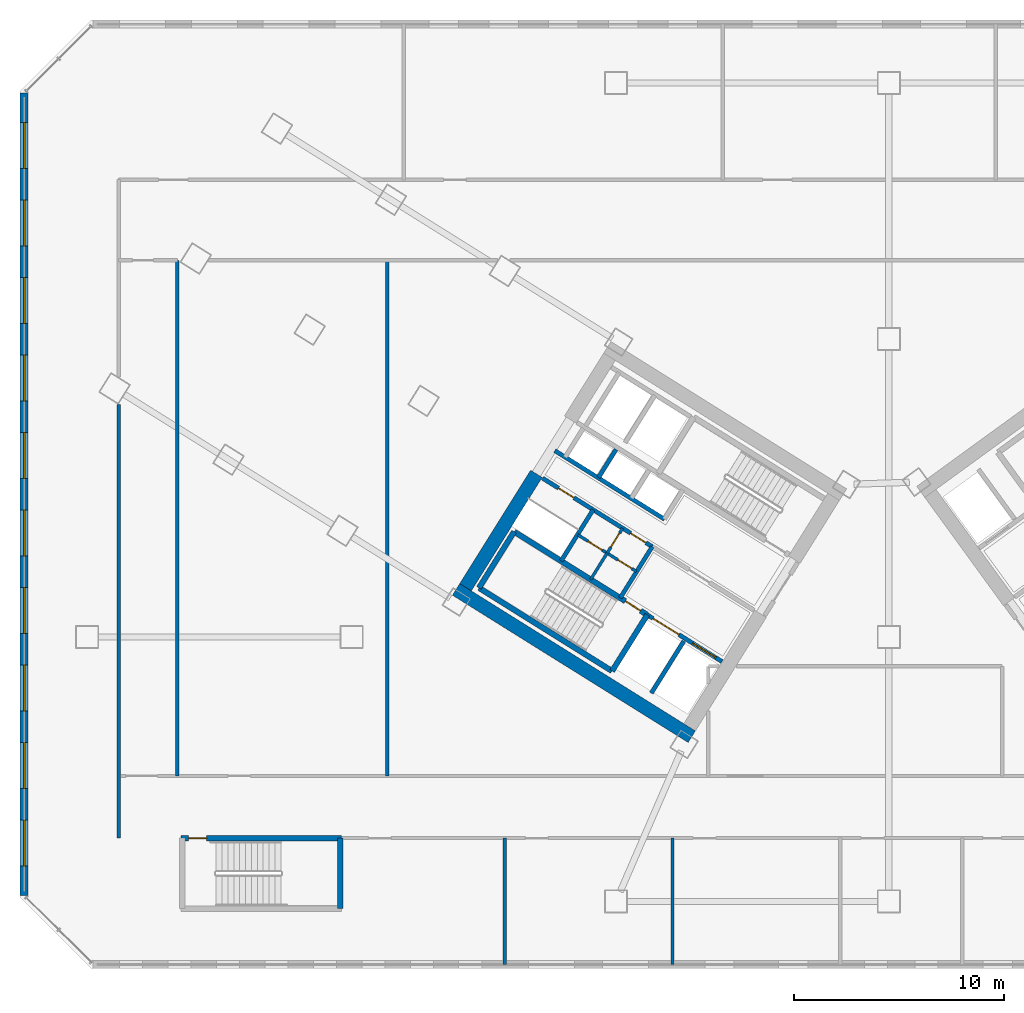
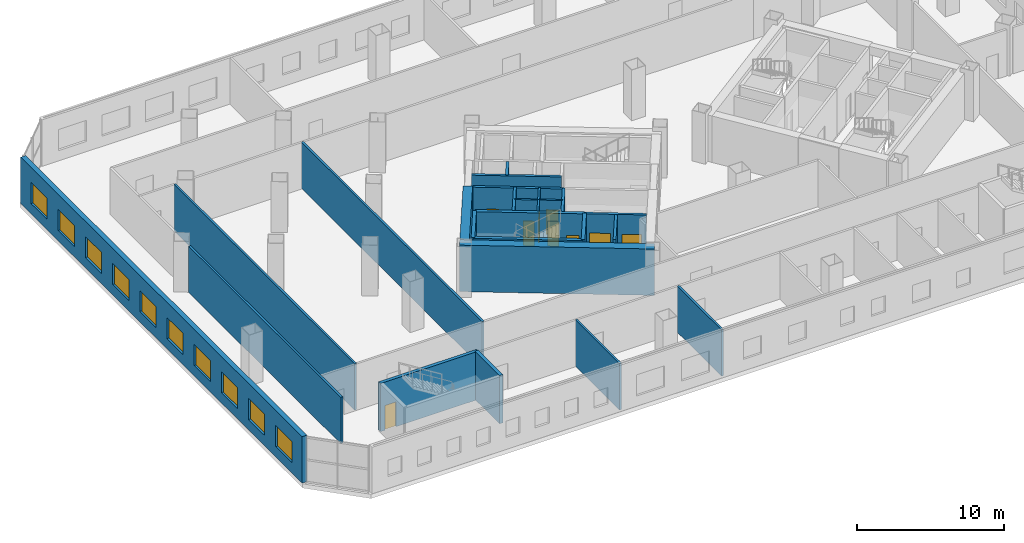
# One storey, part 10 of 22: 24 walls, 10 windows, 9 doors, 19 openings.
"""IFC4 building model written with IfcOpenShell, lengths in metres."""

from ifc_helpers import new_model, si_unit, direction, frame, frame_2d, origin, place, context, subcontext, project, spatial, rectangle, extrude, source, transform, mapped, material, layer, layer_set, type_object, element, fill, save


model = new_model("IFC4")

# Units and contexts
model_context = context("Model", 3, precision=1e-05, world=origin(), true_north=direction((0.0, 1.0)))
body_context = subcontext(model_context, "Body", "Model", "MODEL_VIEW")
ifc_project = project(units=[si_unit("LENGTHUNIT", "METRE"), si_unit("AREAUNIT", "SQUARE_METRE"), si_unit("VOLUMEUNIT", "CUBIC_METRE"), si_unit("PLANEANGLEUNIT", "RADIAN"), si_unit("MASSUNIT", "GRAM", prefix="KILO")], contexts=[model_context])

# Site, building, storey
site_placement = place(None, origin())
site = spatial("IfcSite", under=ifc_project, at=site_placement, CompositionType="ELEMENT")
building_placement = place(site_placement, origin())
building = spatial("IfcBuilding", under=site, at=building_placement, Name="Tlacorven Tower", CompositionType="ELEMENT")
storey_placement = place(building_placement, frame((0.0, 0.0, 10.199951171875)))
storey = spatial("IfcBuildingStorey", under=building, at=storey_placement, Name="L02", CompositionType="ELEMENT", Elevation=10.199951171875)

# Walls
ifc_material_1 = material(Name="Concrete C60/75", Category="concrete")
ifc_layer_1 = layer(ifc_material_1, 0.64990234375)
ifc_layer_set_1 = layer_set([ifc_layer_1], Name="Concrete C60/75")
wall_type_1 = type_object("IfcWallType", Name="WL-COR-650", PredefinedType="SHEAR", material=ifc_layer_set_1)
wall_1_placement = place(storey_placement, frame((33.40869140625, 12.449951171875, 0.0), z_axis=(0.0, 0.0, 1.0), x_axis=(-0.848051132073, 0.529914405721, 0.0)))
element("IfcWall", 1, at=wall_1_placement, inside=storey, type_object=wall_type_1, Name="L02 W core shear wall S2", PredefinedType="SHEAR", context=body_context, shape_type="SweptSolid", body=[
    extrude(rectangle(XDim=13.239990234375, YDim=0.64990234375, at=frame_2d((6.6201171875, 0.0))), origin(), (0.0, 0.0, 1.0), 3.85009765625),
])
wall_2_placement = place(storey_placement, frame((26.006591796875, 24.975830078125, 0.0), z_axis=(0.0, 0.0, 1.0), x_axis=(-0.529916319127, -0.848049936456, 0.0)))
element("IfcWall", 2, at=wall_2_placement, inside=storey, type_object=wall_type_1, Name="L02 W core end wall E2.2", PredefinedType="SHEAR", context=body_context, shape_type="SweptSolid", body=[
    extrude(rectangle(XDim=6.375, YDim=0.64990234375, at=frame_2d((3.1875, 0.0))), origin(), (0.0, 0.0, 1.0), 3.85009765625),
])
ifc_material_2 = material(Name="Gypsum plasterboard acoustic partition", Category="gypsum")
ifc_layer_2 = layer(ifc_material_2, 0.159912109375)
ifc_layer_set_2 = layer_set([ifc_layer_2], Name="Gypsum plasterboard acoustic partition")
wall_type_2 = type_object("IfcWallType", Name="WL-DEM-160", PredefinedType="PARTITIONING", material=ifc_layer_set_2)
for number, where, z_axis, x_axis, name in (
    (3, (24.489990234375, 1.60009765625, 0.0), (0.0, 0.0, 1.0), (0.0, 1.0, 0.0), "L02 partition 69"),
    (4, (32.489990234375, 1.60009765625, 0.0), (0.0, 0.0, 1.0), (0.0, 1.0, 0.0), "L02 partition 70"),
):
    element("IfcWall", number, at=place(storey_placement, frame(where, z_axis=z_axis, x_axis=x_axis)), inside=storey, type_object=wall_type_2, Name=name, PredefinedType="PARTITIONING", context=body_context, shape_type="SweptSolid", body=[
        extrude(rectangle(XDim=6.02001953125, YDim=0.159912109375, at=frame_2d((3.010009765625, 0.0))), origin(), (0.0, 0.0, 1.0), 3.840087890625),
    ])
wall_3_placement = place(storey_placement, frame((6.10009765625, 7.6201171875, 0.0), z_axis=(0.0, 0.0, 1.0), x_axis=(0.0, 1.0, 0.0)))
element("IfcWall", 5, at=wall_3_placement, inside=storey, type_object=wall_type_2, Name="L02 partition 75", PredefinedType="PARTITIONING", context=body_context, shape_type="SweptSolid", body=[
    extrude(rectangle(XDim=20.669921875, YDim=0.159912109375, at=frame_2d((10.3349609375, 0.0))), origin(), (0.0, 0.0, 1.0), 3.840087890625),
])
for number, where, z_axis, x_axis, name in (
    (6, (8.89990234375, 10.580078125, 0.0), (0.0, 0.0, 1.0), (0.0, 1.0, 0.0), "L02 partition 76"),
    (7, (18.89990234375, 10.580078125, 0.0), (0.0, 0.0, 1.0), (0.0, 1.0, 0.0), "L02 partition 84"),
):
    element("IfcWall", number, at=place(storey_placement, frame(where, z_axis=z_axis, x_axis=x_axis)), inside=storey, type_object=wall_type_2, Name=name, PredefinedType="PARTITIONING", context=body_context, shape_type="SweptSolid", body=[
        extrude(rectangle(XDim=24.56982421875, YDim=0.159912109375, at=frame_2d((12.284912109375, 0.0))), origin(), (0.0, 0.0, 1.0), 3.840087890625),
    ])

# Wall, openings, windows
ifc_material_3 = material(Name="Precast concrete C45/55", Category="concrete")
ifc_layer_3 = layer(ifc_material_3, 0.3798828125)
ifc_layer_set_3 = layer_set([ifc_layer_3], Name="Precast concrete C45/55")
wall_type_3 = type_object("IfcWallType", Name="WL-EXT-380", PredefinedType="STANDARD", material=ifc_layer_set_3)
wall_4_placement = place(storey_placement, frame((1.60009765625, 4.8828125, 0.0), z_axis=(0.0, 0.0, 1.0), x_axis=(0.0, 1.0, 0.0)))
wall_4 = element("IfcWall", 8, at=wall_4_placement, inside=storey, type_object=wall_type_3, Name="L02 Podium Masonry-Frame Facade Wall 2", PredefinedType="STANDARD", context=body_context, shape_type="SweptSolid", body=[
    extrude(rectangle(XDim=38.234375, YDim=0.3798828125, at=frame_2d((19.1171875, 0.0))), origin(), (0.0, 0.0, 1.0), 3.85009765625),
])
opening_1_placement = place(wall_4_placement, frame((1.396728515625, 0.0, 0.85009765625)))
opening_1 = element("IfcOpeningElement", 9, at=opening_1_placement, cuts=wall_4, Name="Opening WN14", PredefinedType="OPENING", context=body_context, shape_type="SweptSolid", body=[
    extrude(rectangle(XDim=2.199951171875, YDim=1.75, at=frame_2d((1.10009765625, 0.875))), frame((0.0, 0.199951171875, 0.0), z_axis=(0.0, -1.0, 0.0), x_axis=(1.0, 0.0, 0.0)), (0.0, 0.0, 1.0), 0.39990234375),
])
opening_2_placement = place(wall_4_placement, frame((5.090087890625, 0.0, 0.85009765625)))
opening_2 = element("IfcOpeningElement", 10, at=opening_2_placement, cuts=wall_4, Name="Opening WN14", PredefinedType="OPENING", context=body_context, shape_type="SweptSolid", body=[
    extrude(rectangle(XDim=2.199951171875, YDim=1.75, at=frame_2d((1.10009765625, 0.875))), frame((0.0, 0.199951171875, 0.0), z_axis=(0.0, -1.0, 0.0), x_axis=(1.0, 0.0, 0.0)), (0.0, 0.0, 1.0), 0.39990234375),
])
opening_3_placement = place(wall_4_placement, frame((8.78369140625, 0.0, 0.85009765625)))
opening_3 = element("IfcOpeningElement", 11, at=opening_3_placement, cuts=wall_4, Name="Opening WN14", PredefinedType="OPENING", context=body_context, shape_type="SweptSolid", body=[
    extrude(rectangle(XDim=2.199951171875, YDim=1.75, at=frame_2d((1.10009765625, 0.875))), frame((0.0, 0.199951171875, 0.0), z_axis=(0.0, -1.0, 0.0), x_axis=(1.0, 0.0, 0.0)), (0.0, 0.0, 1.0), 0.39990234375),
])
opening_4_placement = place(wall_4_placement, frame((12.47705078125, 0.0, 0.85009765625)))
opening_4 = element("IfcOpeningElement", 12, at=opening_4_placement, cuts=wall_4, Name="Opening WN14", PredefinedType="OPENING", context=body_context, shape_type="SweptSolid", body=[
    extrude(rectangle(XDim=2.199951171875, YDim=1.75, at=frame_2d((1.10009765625, 0.875))), frame((0.0, 0.199951171875, 0.0), z_axis=(0.0, -1.0, 0.0), x_axis=(1.0, 0.0, 0.0)), (0.0, 0.0, 1.0), 0.39990234375),
])
opening_5_placement = place(wall_4_placement, frame((16.17041015625, 0.0, 0.85009765625)))
opening_5 = element("IfcOpeningElement", 13, at=opening_5_placement, cuts=wall_4, Name="Opening WN14", PredefinedType="OPENING", context=body_context, shape_type="SweptSolid", body=[
    extrude(rectangle(XDim=2.199951171875, YDim=1.75, at=frame_2d((1.10009765625, 0.875))), frame((0.0, 0.199951171875, 0.0), z_axis=(0.0, -1.0, 0.0), x_axis=(1.0, 0.0, 0.0)), (0.0, 0.0, 1.0), 0.39990234375),
])
opening_6_placement = place(wall_4_placement, frame((19.864013671875, 0.0, 0.85009765625)))
opening_6 = element("IfcOpeningElement", 14, at=opening_6_placement, cuts=wall_4, Name="Opening WN14", PredefinedType="OPENING", context=body_context, shape_type="SweptSolid", body=[
    extrude(rectangle(XDim=2.199951171875, YDim=1.75, at=frame_2d((1.10009765625, 0.875))), frame((0.0, 0.199951171875, 0.0), z_axis=(0.0, -1.0, 0.0), x_axis=(1.0, 0.0, 0.0)), (0.0, 0.0, 1.0), 0.39990234375),
])
opening_7_placement = place(wall_4_placement, frame((23.557373046875, 0.0, 0.85009765625)))
opening_7 = element("IfcOpeningElement", 15, at=opening_7_placement, cuts=wall_4, Name="Opening WN14", PredefinedType="OPENING", context=body_context, shape_type="SweptSolid", body=[
    extrude(rectangle(XDim=2.199951171875, YDim=1.75, at=frame_2d((1.10009765625, 0.875))), frame((0.0, 0.199951171875, 0.0), z_axis=(0.0, -1.0, 0.0), x_axis=(1.0, 0.0, 0.0)), (0.0, 0.0, 1.0), 0.39990234375),
])
opening_8_placement = place(wall_4_placement, frame((27.250732421875, 0.0, 0.85009765625)))
opening_8 = element("IfcOpeningElement", 16, at=opening_8_placement, cuts=wall_4, Name="Opening WN14", PredefinedType="OPENING", context=body_context, shape_type="SweptSolid", body=[
    extrude(rectangle(XDim=2.199951171875, YDim=1.75, at=frame_2d((1.10009765625, 0.875))), frame((0.0, 0.199951171875, 0.0), z_axis=(0.0, -1.0, 0.0), x_axis=(1.0, 0.0, 0.0)), (0.0, 0.0, 1.0), 0.39990234375),
])
opening_9_placement = place(wall_4_placement, frame((30.944091796875, 0.0, 0.85009765625)))
opening_9 = element("IfcOpeningElement", 17, at=opening_9_placement, cuts=wall_4, Name="Opening WN14", PredefinedType="OPENING", context=body_context, shape_type="SweptSolid", body=[
    extrude(rectangle(XDim=2.199951171875, YDim=1.75, at=frame_2d((1.10009765625, 0.875))), frame((0.0, 0.199951171875, 0.0), z_axis=(0.0, -1.0, 0.0), x_axis=(1.0, 0.0, 0.0)), (0.0, 0.0, 1.0), 0.39990234375),
])
opening_10_placement = place(wall_4_placement, frame((34.6376953125, 0.0, 0.85009765625)))
opening_10 = element("IfcOpeningElement", 18, at=opening_10_placement, cuts=wall_4, Name="Opening WN14", PredefinedType="OPENING", context=body_context, shape_type="SweptSolid", body=[
    extrude(rectangle(XDim=2.199951171875, YDim=1.75, at=frame_2d((1.10009765625, 0.875))), frame((0.0, 0.199951171875, 0.0), z_axis=(0.0, -1.0, 0.0), x_axis=(1.0, 0.0, 0.0)), (0.0, 0.0, 1.0), 0.39990234375),
])
ifc_material_4 = material(Name="Dark solar low-E double glazing in anodised aluminium frame", Category="aluminium")
window_type = type_object("IfcWindowType", Name="WN-CLN-2200X1850", PartitioningType="SINGLE_PANEL", PredefinedType="WINDOW", material=ifc_material_4)
shared_shape_1 = source(origin(), body_context, "Body", "SweptSolid", [
    extrude(rectangle(XDim=2.199951171875, YDim=1.75, at=frame_2d((1.10009765625, 0.875))), frame((0.0, 0.030029296875, 0.0), z_axis=(0.0, -1.0, 0.0), x_axis=(1.0, 0.0, 0.0)), (0.0, 0.0, 1.0), 0.06005859375),
])
window_1_placement = place(opening_1_placement, origin())
window_1 = element("IfcWindow", 19, at=window_1_placement, inside=storey, type_object=window_type, Name="L02 Podium Recessed Facade Window 2.1", OverallHeight=1.75, OverallWidth=2.199951171875, PartitioningType="SINGLE_PANEL", PredefinedType="WINDOW", context=body_context, shape_type="MappedRepresentation", body=[
    mapped(shared_shape_1, transform((0.0, 0.0, 0.0), scale=1.0)),
])
fill(opening_1, window_1)
window_2_placement = place(opening_2_placement, origin())
window_2 = element("IfcWindow", 20, at=window_2_placement, inside=storey, type_object=window_type, Name="L02 Podium Recessed Facade Window 2.2", OverallHeight=1.75, OverallWidth=2.199951171875, PartitioningType="SINGLE_PANEL", PredefinedType="WINDOW", context=body_context, shape_type="MappedRepresentation", body=[
    mapped(shared_shape_1, transform((0.0, 0.0, 0.0), scale=1.0)),
])
fill(opening_2, window_2)
window_3_placement = place(opening_3_placement, origin())
window_3 = element("IfcWindow", 21, at=window_3_placement, inside=storey, type_object=window_type, Name="L02 Podium Recessed Facade Window 2.3", OverallHeight=1.75, OverallWidth=2.199951171875, PartitioningType="SINGLE_PANEL", PredefinedType="WINDOW", context=body_context, shape_type="MappedRepresentation", body=[
    mapped(shared_shape_1, transform((0.0, 0.0, 0.0), scale=1.0)),
])
fill(opening_3, window_3)
window_4_placement = place(opening_4_placement, origin())
window_4 = element("IfcWindow", 22, at=window_4_placement, inside=storey, type_object=window_type, Name="L02 Podium Recessed Facade Window 2.4", OverallHeight=1.75, OverallWidth=2.199951171875, PartitioningType="SINGLE_PANEL", PredefinedType="WINDOW", context=body_context, shape_type="MappedRepresentation", body=[
    mapped(shared_shape_1, transform((0.0, 0.0, 0.0), scale=1.0)),
])
fill(opening_4, window_4)
window_5_placement = place(opening_5_placement, origin())
window_5 = element("IfcWindow", 23, at=window_5_placement, inside=storey, type_object=window_type, Name="L02 Podium Recessed Facade Window 2.5", OverallHeight=1.75, OverallWidth=2.199951171875, PartitioningType="SINGLE_PANEL", PredefinedType="WINDOW", context=body_context, shape_type="MappedRepresentation", body=[
    mapped(shared_shape_1, transform((0.0, 0.0, 0.0), scale=1.0)),
])
fill(opening_5, window_5)
window_6_placement = place(opening_6_placement, origin())
window_6 = element("IfcWindow", 24, at=window_6_placement, inside=storey, type_object=window_type, Name="L02 Podium Recessed Facade Window 2.6", OverallHeight=1.75, OverallWidth=2.199951171875, PartitioningType="SINGLE_PANEL", PredefinedType="WINDOW", context=body_context, shape_type="MappedRepresentation", body=[
    mapped(shared_shape_1, transform((0.0, 0.0, 0.0), scale=1.0)),
])
fill(opening_6, window_6)
window_7_placement = place(opening_7_placement, origin())
window_7 = element("IfcWindow", 25, at=window_7_placement, inside=storey, type_object=window_type, Name="L02 Podium Recessed Facade Window 2.7", OverallHeight=1.75, OverallWidth=2.199951171875, PartitioningType="SINGLE_PANEL", PredefinedType="WINDOW", context=body_context, shape_type="MappedRepresentation", body=[
    mapped(shared_shape_1, transform((0.0, 0.0, 0.0), scale=1.0)),
])
fill(opening_7, window_7)
window_8_placement = place(opening_8_placement, origin())
window_8 = element("IfcWindow", 26, at=window_8_placement, inside=storey, type_object=window_type, Name="L02 Podium Recessed Facade Window 2.8", OverallHeight=1.75, OverallWidth=2.199951171875, PartitioningType="SINGLE_PANEL", PredefinedType="WINDOW", context=body_context, shape_type="MappedRepresentation", body=[
    mapped(shared_shape_1, transform((0.0, 0.0, 0.0), scale=1.0)),
])
fill(opening_8, window_8)
window_9_placement = place(opening_9_placement, origin())
window_9 = element("IfcWindow", 27, at=window_9_placement, inside=storey, type_object=window_type, Name="L02 Podium Recessed Facade Window 2.9", OverallHeight=1.75, OverallWidth=2.199951171875, PartitioningType="SINGLE_PANEL", PredefinedType="WINDOW", context=body_context, shape_type="MappedRepresentation", body=[
    mapped(shared_shape_1, transform((0.0, 0.0, 0.0), scale=1.0)),
])
fill(opening_9, window_9)
window_10_placement = place(opening_10_placement, origin())
window_10 = element("IfcWindow", 28, at=window_10_placement, inside=storey, type_object=window_type, Name="L02 Podium Recessed Facade Window 2.10", OverallHeight=1.75, OverallWidth=2.199951171875, PartitioningType="SINGLE_PANEL", PredefinedType="WINDOW", context=body_context, shape_type="MappedRepresentation", body=[
    mapped(shared_shape_1, transform((0.0, 0.0, 0.0), scale=1.0)),
])
fill(opening_10, window_10)

# Wall, opening, door
ifc_material_5 = material(Name="Moisture-resistant gypsum plumbing wall", Category="gypsum")
ifc_layer_4 = layer(ifc_material_5, 0.139892578125)
ifc_layer_set_4 = layer_set([ifc_layer_4], Name="Moisture-resistant gypsum plumbing wall")
wall_type_4 = type_object("IfcWallType", Name="WL-PLM-140", PredefinedType="PLUMBINGWALL", material=ifc_layer_set_4)
wall_5_placement = place(storey_placement, frame((30.117431640625, 22.383544921875, 0.0), z_axis=(0.0, 0.0, 1.0), x_axis=(-0.529951914384, -0.848027693204, 0.0)))
wall_5 = element("IfcWall", 29, at=wall_5_placement, inside=storey, type_object=wall_type_4, Name="L02 partition 26", PredefinedType="PLUMBINGWALL", context=body_context, shape_type="SweptSolid", body=[
    extrude(rectangle(XDim=1.39990234375, YDim=0.139892578125, at=frame_2d((0.699951171875, 0.0))), origin(), (0.0, 0.0, 1.0), 3.840087890625),
])
opening_11_placement = place(wall_5_placement, frame((0.280029296875, 0.0, 0.0)))
opening_11 = element("IfcOpeningElement", 30, at=opening_11_placement, cuts=wall_5, Name="Opening D22", PredefinedType="OPENING", context=body_context, shape_type="SweptSolid", body=[
    extrude(rectangle(XDim=0.780029296875, YDim=2.050048828125, at=frame_2d((0.39013671875, 1.02490234375))), frame((0.0, 0.080078125, 0.0), z_axis=(0.0, -1.0, 0.0), x_axis=(1.0, 0.0, 0.0)), (0.0, 0.0, 1.0), 0.159912109375),
])
ifc_material_6 = material(Name="Powder-coated aluminium and timber door", Category="wood")
door_type_1 = type_object("IfcDoorType", Name="DR-INT-WET-0780", OperationType="NOTDEFINED", PredefinedType="DOOR", material=ifc_material_6)
shared_shape_2 = source(origin(), body_context, "Body", "SweptSolid", [
    extrude(rectangle(XDim=0.780029296875, YDim=2.050048828125, at=frame_2d((0.39013671875, 1.02490234375))), frame((0.0, 0.02490234375, 0.0), z_axis=(0.0, -1.0, 0.0), x_axis=(1.0, 0.0, 0.0)), (0.0, 0.0, 1.0), 0.050048828125),
])
door_1_placement = place(opening_11_placement, origin())
door_1 = element("IfcDoor", 31, at=door_1_placement, inside=storey, type_object=door_type_1, Name="L02 door 008", OperationType="SINGLE_SWING_LEFT", OverallHeight=2.050048828125, OverallWidth=0.780029296875, PredefinedType="DOOR", context=body_context, shape_type="MappedRepresentation", body=[
    mapped(shared_shape_2, transform((0.0, 0.0, 0.0), scale=1.0)),
])
fill(opening_11, door_1)

# Wall
wall_6_placement = place(storey_placement, frame((29.37548828125, 21.1962890625, 0.0), z_axis=(0.0, 0.0, 1.0), x_axis=(-0.529865479138, -0.848081702443, 0.0)))
element("IfcWall", 32, at=wall_6_placement, inside=storey, type_object=wall_type_4, Name="L02 partition 27", PredefinedType="PLUMBINGWALL", context=body_context, shape_type="SweptSolid", body=[
    extrude(rectangle(XDim=1.47998046875, YDim=0.139892578125, at=frame_2d((0.739990234375, 0.0))), origin(), (0.0, 0.0, 1.0), 3.840087890625),
])

# Wall, openings, doors
wall_7_placement = place(storey_placement, frame((30.766357421875, 20.3271484375, 0.0), z_axis=(0.0, 0.0, 1.0), x_axis=(-0.848052663127, 0.529911955482, 0.0)))
wall_7 = element("IfcWall", 33, at=wall_7_placement, inside=storey, type_object=wall_type_4, Name="L02 partition 28", PredefinedType="PLUMBINGWALL", context=body_context, shape_type="SweptSolid", body=[
    extrude(rectangle(XDim=3.27978515625, YDim=0.139892578125, at=frame_2d((1.639892578125, 0.0))), origin(), (0.0, 0.0, 1.0), 3.840087890625),
])
opening_12_placement = place(wall_7_placement, frame((0.25, 0.0, 0.0)))
opening_12 = element("IfcOpeningElement", 34, at=opening_12_placement, cuts=wall_7, Name="Opening D22", PredefinedType="OPENING", context=body_context, shape_type="SweptSolid", body=[
    extrude(rectangle(XDim=0.780029296875, YDim=2.050048828125, at=frame_2d((0.39013671875, 1.02490234375))), frame((0.0, 0.080078125, 0.0), z_axis=(0.0, -1.0, 0.0), x_axis=(1.0, 0.0, 0.0)), (0.0, 0.0, 1.0), 0.159912109375),
])
opening_13_placement = place(wall_7_placement, frame((1.919921875, 0.0, 0.0)))
opening_13 = element("IfcOpeningElement", 35, at=opening_13_placement, cuts=wall_7, Name="Opening D22", PredefinedType="OPENING", context=body_context, shape_type="SweptSolid", body=[
    extrude(rectangle(XDim=0.780029296875, YDim=2.050048828125, at=frame_2d((0.39013671875, 1.02490234375))), frame((0.0, 0.080078125, 0.0), z_axis=(0.0, -1.0, 0.0), x_axis=(1.0, 0.0, 0.0)), (0.0, 0.0, 1.0), 0.159912109375),
])
door_2_placement = place(opening_12_placement, origin())
door_2 = element("IfcDoor", 36, at=door_2_placement, inside=storey, type_object=door_type_1, Name="L02 door 009", OperationType="SINGLE_SWING_RIGHT", OverallHeight=2.050048828125, OverallWidth=0.780029296875, PredefinedType="DOOR", context=body_context, shape_type="MappedRepresentation", body=[
    mapped(shared_shape_2, transform((0.0, 0.0, 0.0), scale=1.0)),
])
fill(opening_12, door_2)
door_3_placement = place(opening_13_placement, origin())
door_3 = element("IfcDoor", 37, at=door_3_placement, inside=storey, type_object=door_type_1, Name="L02 door 010", OperationType="SINGLE_SWING_LEFT", OverallHeight=2.050048828125, OverallWidth=0.780029296875, PredefinedType="DOOR", context=body_context, shape_type="MappedRepresentation", body=[
    mapped(shared_shape_2, transform((0.0, 0.0, 0.0), scale=1.0)),
])
fill(opening_13, door_3)

ifc_material_7 = material(Name="Concrete C40/50", Category="concrete")
ifc_layer_5 = layer(ifc_material_7, 0.199951171875)
ifc_layer_set_5 = layer_set([ifc_layer_5], Name="Concrete C40/50")
wall_type_5 = type_object("IfcWallType", Name="WL-SHF-200", PredefinedType="STANDARD", material=ifc_layer_set_5)
wall_8_placement = place(storey_placement, frame((34.84814453125, 16.03125, 0.0), z_axis=(0.0, 0.0, 1.0), x_axis=(-0.848044042236, 0.529925751807, 0.0)))
wall_8 = element("IfcWall", 38, at=wall_8_placement, inside=storey, type_object=wall_type_5, Name="L02 Core W Firefighting Lift Shaft Front Wall", PredefinedType="STANDARD", context=body_context, shape_type="SweptSolid", body=[
    extrude(rectangle(XDim=4.197998046875, YDim=0.199951171875, at=frame_2d((2.09912109375, 0.0))), origin(), (0.0, 0.0, 1.0), 3.840087890625),
])
opening_14_placement = place(wall_8_placement, frame((0.347900390625, 0.0, 0.0)))
opening_14 = element("IfcOpeningElement", 39, at=opening_14_placement, cuts=wall_8, Name="Opening LD03", PredefinedType="OPENING", context=body_context, shape_type="SweptSolid", body=[
    extrude(rectangle(XDim=1.300048828125, YDim=2.199951171875, at=frame_2d((0.64990234375, 1.10009765625))), frame((0.0, 0.10986328125, 0.0), z_axis=(0.0, -1.0, 0.0), x_axis=(1.0, 0.0, 0.0)), (0.0, 0.0, 1.0), 0.219970703125),
])
opening_15_placement = place(wall_8_placement, frame((2.423095703125, 0.0, 0.0)))
opening_15 = element("IfcOpeningElement", 40, at=opening_15_placement, cuts=wall_8, Name="Opening LD04", PredefinedType="OPENING", context=body_context, shape_type="SweptSolid", body=[
    extrude(rectangle(XDim=1.449951171875, YDim=2.25, at=frame_2d((0.72509765625, 1.125))), frame((0.0, 0.10986328125, 0.0), z_axis=(0.0, -1.0, 0.0), x_axis=(1.0, 0.0, 0.0)), (0.0, 0.0, 1.0), 0.219970703125),
])
ifc_material_8 = material(Name="Fire-rated steel door assembly", Category="steel")
door_type_2 = type_object("IfcDoorType", Name="DR-LFT-SLID-1300", OperationType="DOUBLE_DOOR_SLIDING", PredefinedType="DOOR", material=ifc_material_8)
shared_shape_3 = source(origin(), body_context, "Body", "SweptSolid", [
    extrude(rectangle(XDim=1.300048828125, YDim=2.199951171875, at=frame_2d((0.64990234375, 1.10009765625))), frame((0.0, 0.02490234375, 0.0), z_axis=(0.0, -1.0, 0.0), x_axis=(1.0, 0.0, 0.0)), (0.0, 0.0, 1.0), 0.050048828125),
])
door_4_placement = place(opening_14_placement, origin())
door_4 = element("IfcDoor", 41, at=door_4_placement, inside=storey, type_object=door_type_2, Name="L02 Lift FFL-W1 Sliding Landing Door", OperationType="DOUBLE_DOOR_SLIDING", OverallHeight=2.199951171875, OverallWidth=1.300048828125, PredefinedType="DOOR", context=body_context, shape_type="MappedRepresentation", body=[
    mapped(shared_shape_3, transform((0.0, 0.0, 0.0), scale=1.0)),
])
fill(opening_14, door_4)
door_type_3 = type_object("IfcDoorType", Name="DR-LFT-SLID-1450", OperationType="DOUBLE_DOOR_SLIDING", PredefinedType="DOOR", material=ifc_material_8)
shared_shape_4 = source(origin(), body_context, "Body", "SweptSolid", [
    extrude(rectangle(XDim=1.449951171875, YDim=2.25, at=frame_2d((0.72509765625, 1.125))), frame((0.0, 0.02490234375, 0.0), z_axis=(0.0, -1.0, 0.0), x_axis=(1.0, 0.0, 0.0)), (0.0, 0.0, 1.0), 0.050048828125),
])
door_5_placement = place(opening_15_placement, origin())
door_5 = element("IfcDoor", 42, at=door_5_placement, inside=storey, type_object=door_type_3, Name="L02 Lift SVL-W1 Sliding Landing Door", OperationType="DOUBLE_DOOR_SLIDING", OverallHeight=2.25, OverallWidth=1.449951171875, PredefinedType="DOOR", context=body_context, shape_type="MappedRepresentation", body=[
    mapped(shared_shape_4, transform((0.0, 0.0, 0.0), scale=1.0)),
])
fill(opening_15, door_5)

# Walls
wall_9_placement = place(storey_placement, frame((32.108154296875, 22.81396484375, 0.0), z_axis=(0.0, 0.0, 1.0), x_axis=(-0.848047283855, 0.529920564185, 0.0)))
element("IfcWall", 43, at=wall_9_placement, inside=storey, type_object=wall_type_5, Name="L02 partition 11", PredefinedType="STANDARD", context=body_context, shape_type="SweptSolid", body=[
    extrude(rectangle(XDim=6.16015625, YDim=0.199951171875, at=frame_2d((3.080078125, 0.0))), origin(), (0.0, 0.0, 1.0), 3.840087890625),
])
wall_10_placement = place(storey_placement, frame((33.02880859375, 17.003173828125, 0.0), z_axis=(0.0, 0.0, 1.0), x_axis=(-0.529916267533, -0.848049968695, 0.0)))
element("IfcWall", 44, at=wall_10_placement, inside=storey, type_object=wall_type_5, Name="L02 partition 13", PredefinedType="STANDARD", context=body_context, shape_type="SweptSolid", body=[
    extrude(rectangle(XDim=2.919921875, YDim=0.199951171875, at=frame_2d((1.4599609375, 0.0))), origin(), (0.0, 0.0, 1.0), 3.840087890625),
])
wall_11_placement = place(storey_placement, frame((29.80126953125, 26.14208984375, 0.0), z_axis=(0.0, 0.0, 1.0), x_axis=(-0.529998940003, -0.847998304005, 0.0)))
element("IfcWall", 45, at=wall_11_placement, inside=storey, type_object=wall_type_5, Name="L02 partition 19", PredefinedType="STANDARD", context=body_context, shape_type="SweptSolid", body=[
    extrude(rectangle(XDim=1.580078125, YDim=0.199951171875, at=frame_2d((0.7900390625, 0.0))), origin(), (0.0, 0.0, 1.0), 3.840087890625),
])
for number, where, z_axis, x_axis, name in (
    (46, (31.525146484375, 21.503662109375, 0.0), (0.0, 0.0, 1.0), (-0.529907497854, -0.848055448493, 0.0), "L02 partition 21"),
    (47, (28.709716796875, 23.26318359375, 0.0), (0.0, 0.0, 1.0), (-0.529907497854, -0.848055448493, 0.0), "L02 partition 22"),
):
    element("IfcWall", number, at=place(storey_placement, frame(where, z_axis=z_axis, x_axis=x_axis)), inside=storey, type_object=wall_type_5, Name=name, PredefinedType="STANDARD", context=body_context, shape_type="SweptSolid", body=[
        extrude(rectangle(XDim=2.8798828125, YDim=0.199951171875, at=frame_2d((1.43994140625, 0.0))), origin(), (0.0, 0.0, 1.0), 3.840087890625),
    ])

# Wall, openings, doors
wall_12_placement = place(storey_placement, frame((31.525146484375, 21.503662109375, 0.0), z_axis=(0.0, 0.0, 1.0), x_axis=(-0.848044998614, 0.529924221305, 0.0)))
wall_12 = element("IfcWall", 48, at=wall_12_placement, inside=storey, type_object=wall_type_5, Name="L02 Core W North Service Wall", PredefinedType="STANDARD", context=body_context, shape_type="SweptSolid", body=[
    extrude(rectangle(XDim=6.16796875, YDim=0.199951171875, at=frame_2d((3.083984375, 0.0))), origin(), (0.0, 0.0, 1.0), 3.840087890625),
])
opening_16_placement = place(wall_12_placement, frame((4.39990234375, 0.0, 0.0)))
opening_16 = element("IfcOpeningElement", 49, at=opening_16_placement, cuts=wall_12, Name="Opening D19", PredefinedType="OPENING", context=body_context, shape_type="SweptSolid", body=[
    extrude(rectangle(XDim=0.860107421875, YDim=2.050048828125, at=frame_2d((0.43017578125, 1.02490234375))), frame((0.0, 0.10986328125, 0.0), z_axis=(0.0, -1.0, 0.0), x_axis=(1.0, 0.0, 0.0)), (0.0, 0.0, 1.0), 0.219970703125),
])
opening_17_placement = place(wall_12_placement, frame((0.35009765625, 0.0, 0.0)))
opening_17 = element("IfcOpeningElement", 50, at=opening_17_placement, cuts=wall_12, Name="Opening D19", PredefinedType="OPENING", context=body_context, shape_type="SweptSolid", body=[
    extrude(rectangle(XDim=0.860107421875, YDim=2.050048828125, at=frame_2d((0.43017578125, 1.02490234375))), frame((0.0, 0.10986328125, 0.0), z_axis=(0.0, -1.0, 0.0), x_axis=(1.0, 0.0, 0.0)), (0.0, 0.0, 1.0), 0.219970703125),
])
door_type_4 = type_object("IfcDoorType", Name="DR-RSR-FD60-0860", OperationType="NOTDEFINED", PredefinedType="DOOR", material=ifc_material_8)
shared_shape_5 = source(origin(), body_context, "Body", "SweptSolid", [
    extrude(rectangle(XDim=0.860107421875, YDim=2.050048828125, at=frame_2d((0.43017578125, 1.02490234375))), frame((0.0, 0.02490234375, 0.0), z_axis=(0.0, -1.0, 0.0), x_axis=(1.0, 0.0, 0.0)), (0.0, 0.0, 1.0), 0.050048828125),
])
door_6_placement = place(opening_16_placement, frame((0.860107421875, 0.0, 0.0), z_axis=(0.0, 0.0, 1.0), x_axis=(-1.0, 0.0, 0.0)))
door_6 = element("IfcDoor", 51, at=door_6_placement, inside=storey, type_object=door_type_4, Name="L02 Electrical Riser Access Door W", OperationType="SINGLE_SWING_LEFT", OverallHeight=2.050048828125, OverallWidth=0.860107421875, PredefinedType="DOOR", context=body_context, shape_type="MappedRepresentation", body=[
    mapped(shared_shape_5, transform((0.0, 0.0, 0.0), scale=1.0)),
])
fill(opening_16, door_6)
door_7_placement = place(opening_17_placement, frame((0.860107421875, 0.0, 0.0), z_axis=(0.0, 0.0, 1.0), x_axis=(-1.0, 0.0, 0.0)))
door_7 = element("IfcDoor", 52, at=door_7_placement, inside=storey, type_object=door_type_4, Name="L02 Cleaning Room Access Door W", OperationType="SINGLE_SWING_RIGHT", OverallHeight=2.050048828125, OverallWidth=0.860107421875, PredefinedType="DOOR", context=body_context, shape_type="MappedRepresentation", body=[
    mapped(shared_shape_5, transform((0.0, 0.0, 0.0), scale=1.0)),
])
fill(opening_17, door_7)

# Wall
ifc_material_9 = material(Name="Concrete C50/60", Category="concrete")
ifc_layer_6 = layer(ifc_material_9, 0.260009765625)
ifc_layer_set_6 = layer_set([ifc_layer_6], Name="Concrete C50/60")
wall_type_6 = type_object("IfcWallType", Name="WL-STW-260", PredefinedType="SHEAR", material=ifc_layer_set_6)
wall_13_placement = place(storey_placement, frame((29.60498046875, 15.581298828125, 0.0), z_axis=(0.0, 0.0, 1.0), x_axis=(-0.848036911448, 0.529937163087, 0.0)))
element("IfcWall", 53, at=wall_13_placement, inside=storey, type_object=wall_type_6, Name="L02 Stair W1 Far Shear Wall", PredefinedType="SHEAR", context=body_context, shape_type="SweptSolid", body=[
    extrude(rectangle(XDim=7.4599609375, YDim=0.260009765625, at=frame_2d((3.72998046875, 0.0))), origin(), (0.0, 0.0, 1.0), 3.85009765625),
])

# Wall, opening, door
wall_14_placement = place(storey_placement, frame((31.279541015625, 18.26123046875, 0.0), z_axis=(0.0, 0.0, 1.0), x_axis=(-0.848051618787, 0.529913626805, 0.0)))
wall_14 = element("IfcWall", 54, at=wall_14_placement, inside=storey, type_object=wall_type_6, Name="L02 Stair W1 Lobby Shear Wall", PredefinedType="SHEAR", context=body_context, shape_type="SweptSolid", body=[
    extrude(rectangle(XDim=7.4599609375, YDim=0.260009765625, at=frame_2d((3.72998046875, 0.0))), origin(), (0.0, 0.0, 1.0), 3.85009765625),
])
opening_18_placement = place(wall_14_placement, frame((0.360107421875, 0.0, 0.0)))
opening_18 = element("IfcOpeningElement", 55, at=opening_18_placement, cuts=wall_14, Name="Opening D19", PredefinedType="OPENING", context=body_context, shape_type="SweptSolid", body=[
    extrude(rectangle(XDim=0.860107421875, YDim=2.050048828125, at=frame_2d((0.43017578125, 1.02490234375))), frame((0.0, 0.14013671875, 0.0), z_axis=(0.0, -1.0, 0.0), x_axis=(1.0, 0.0, 0.0)), (0.0, 0.0, 1.0), 0.280029296875),
])
door_8_placement = place(opening_18_placement, frame((0.860107421875, 0.0, 0.0), z_axis=(0.0, 0.0, 1.0), x_axis=(-1.0, 0.0, 0.0)))
door_8 = element("IfcDoor", 56, at=door_8_placement, inside=storey, type_object=door_type_4, Name="L02 Exit Stair W1 Fire Door", OperationType="SINGLE_SWING_LEFT", OverallHeight=2.050048828125, OverallWidth=0.860107421875, PredefinedType="DOOR", context=body_context, shape_type="MappedRepresentation", body=[
    mapped(shared_shape_5, transform((0.0, 0.0, 0.0), scale=1.0)),
])
fill(opening_18, door_8)

# Walls
wall_15_placement = place(storey_placement, frame((31.2880859375, 18.255859375, 0.0), z_axis=(0.0, 0.0, 1.0), x_axis=(-0.529943379326, -0.848033026897, 0.0)))
element("IfcWall", 57, at=wall_15_placement, inside=storey, type_object=wall_type_6, Name="L02 Stair W1 West Shear Wall", PredefinedType="SHEAR", context=body_context, shape_type="SweptSolid", body=[
    extrude(rectangle(XDim=3.159912109375, YDim=0.260009765625, at=frame_2d((1.580078125, 0.0))), origin(), (0.0, 0.0, 1.0), 3.85009765625),
])
wall_16_placement = place(storey_placement, frame((24.944580078125, 22.2197265625, 0.0), z_axis=(0.0, 0.0, 1.0), x_axis=(-0.529908658664, -0.84805472316, 0.0)))
element("IfcWall", 58, at=wall_16_placement, inside=storey, type_object=wall_type_6, Name="L02 Stair W1 East Shear Wall", PredefinedType="SHEAR", context=body_context, shape_type="SweptSolid", body=[
    extrude(rectangle(XDim=3.16015625, YDim=0.260009765625, at=frame_2d((1.580078125, 0.0))), origin(), (0.0, 0.0, 1.0), 3.85009765625),
])

# Wall, opening, door
wall_17_placement = place(storey_placement, frame((9.070068359375, 7.6201171875, 0.0), z_axis=(0.0, 0.0, 1.0), x_axis=(1.0, 0.0, 0.0)))
wall_17 = element("IfcWall", 59, at=wall_17_placement, inside=storey, type_object=wall_type_6, Name="L02 Stair P1 North Wall", PredefinedType="SHEAR", context=body_context, shape_type="SweptSolid", body=[
    extrude(rectangle(XDim=7.659912109375, YDim=0.260009765625, at=frame_2d((3.830078125, 0.0))), origin(), (0.0, 0.0, 1.0), 4.0),
])
opening_19_placement = place(wall_17_placement, frame((0.360107421875, 0.0, 0.0)))
opening_19 = element("IfcOpeningElement", 60, at=opening_19_placement, cuts=wall_17, Name="Opening D19", PredefinedType="OPENING", context=body_context, shape_type="SweptSolid", body=[
    extrude(rectangle(XDim=0.860107421875, YDim=2.050048828125, at=frame_2d((0.43017578125, 1.02490234375))), frame((0.0, 0.14013671875, 0.0), z_axis=(0.0, -1.0, 0.0), x_axis=(1.0, 0.0, 0.0)), (0.0, 0.0, 1.0), 0.280029296875),
])
door_9_placement = place(opening_19_placement, origin())
door_9 = element("IfcDoor", 61, at=door_9_placement, inside=storey, type_object=door_type_4, Name="L02 door 021", OperationType="SINGLE_SWING_LEFT", OverallHeight=2.050048828125, OverallWidth=0.860107421875, PredefinedType="DOOR", context=body_context, shape_type="MappedRepresentation", body=[
    mapped(shared_shape_5, transform((0.0, 0.0, 0.0), scale=1.0)),
])
fill(opening_19, door_9)

# Wall
wall_18_placement = place(storey_placement, frame((16.659912109375, 4.260009765625, 0.0), z_axis=(0.0, 0.0, 1.0), x_axis=(0.0, 1.0, 0.0)))
element("IfcWall", 62, at=wall_18_placement, inside=storey, type_object=wall_type_6, Name="L02 Stair P1 East Wall", PredefinedType="SHEAR", context=body_context, shape_type="SweptSolid", body=[
    extrude(rectangle(XDim=3.360107421875, YDim=0.260009765625, at=frame_2d((1.68017578125, 0.0))), origin(), (0.0, 0.0, 1.0), 4.0),
])

save(model, "model.ifc")
